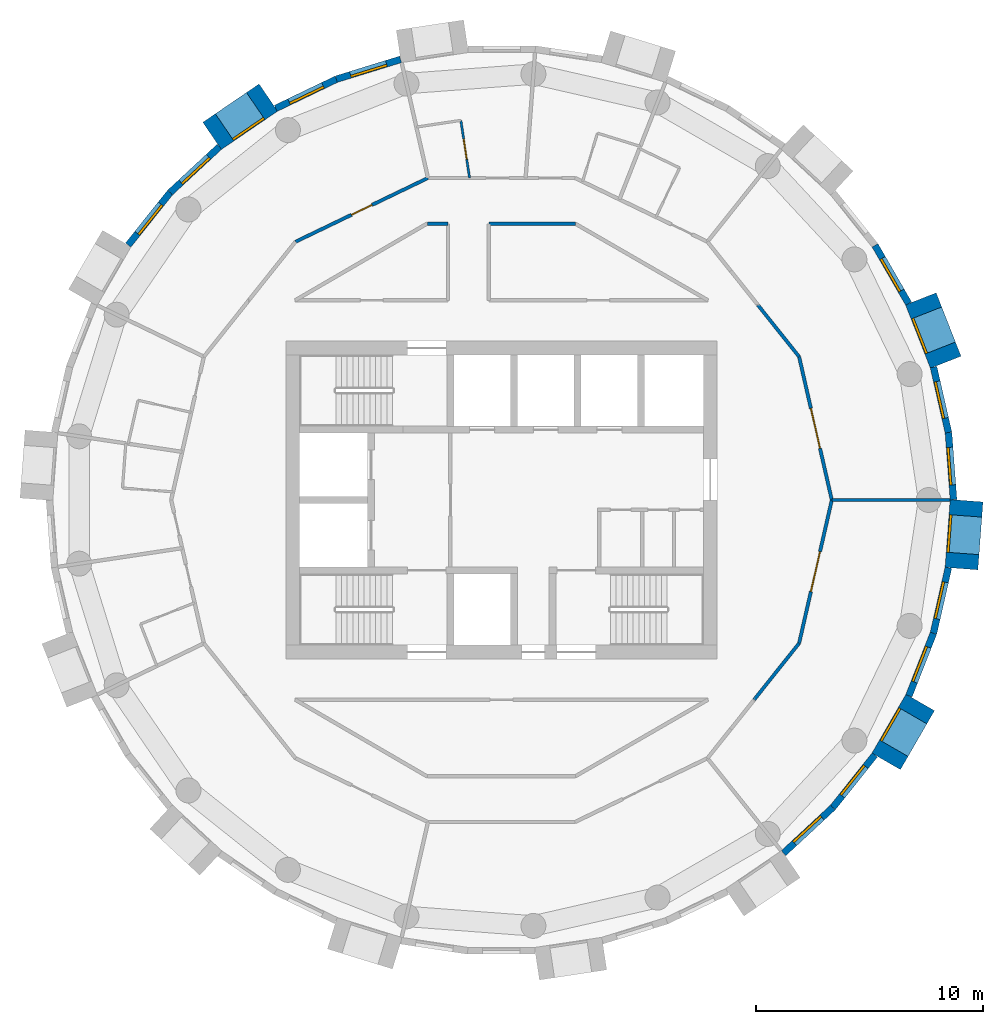
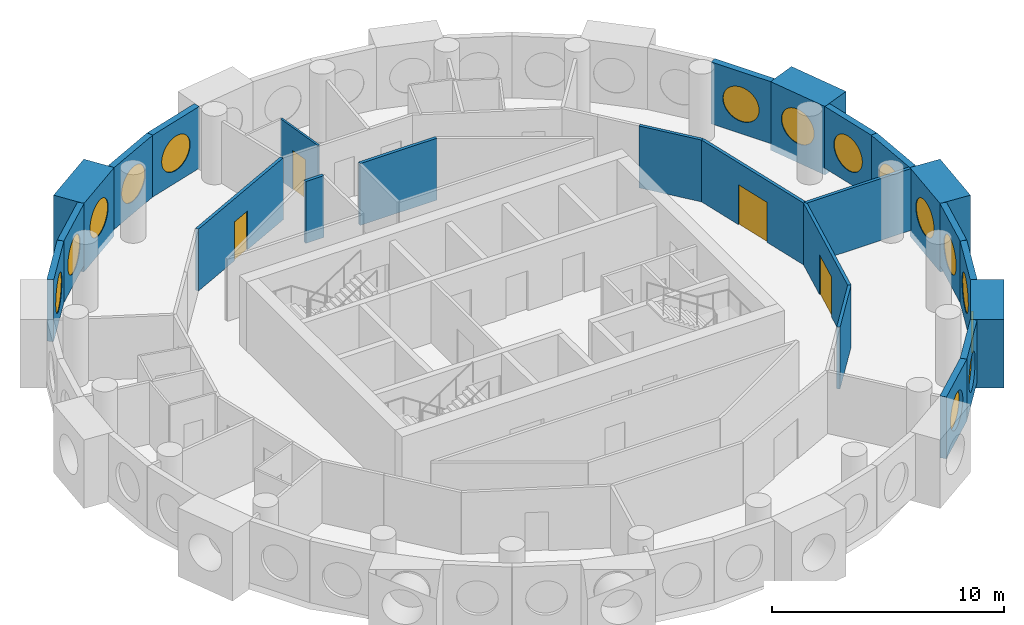
# One storey, part 9 of 12: 24 walls, 15 windows, 4 doors, 19 openings.
"""IFC4 building model written with IfcOpenShell, lengths in metres."""

from ifc_helpers import new_model, si_unit, direction, frame, frame_2d, origin, origin_2d, place, context, subcontext, project, spatial, rectangle, circle, extrude, material, layer, layer_set, type_object, element, fill, save


model = new_model("IFC4")

# Units and contexts
model_context = context("Model", 3, precision=1e-05, world=origin(), true_north=direction((0.0, 1.0)))
body_context = subcontext(model_context, "Body", "Model", "MODEL_VIEW")
ifc_project = project(units=[si_unit("LENGTHUNIT", "METRE"), si_unit("AREAUNIT", "SQUARE_METRE"), si_unit("VOLUMEUNIT", "CUBIC_METRE"), si_unit("PLANEANGLEUNIT", "RADIAN"), si_unit("MASSUNIT", "GRAM", prefix="KILO")], contexts=[model_context])

# Site, building, storey
site_placement = place(None, origin())
site = spatial("IfcSite", under=ifc_project, at=site_placement, CompositionType="ELEMENT")
building_placement = place(site_placement, origin())
building = spatial("IfcBuilding", under=site, at=building_placement, Name="Tracery Tower", CompositionType="ELEMENT")
storey_placement = place(building_placement, frame((0.0, 0.0, 245.39990234375)))
storey = spatial("IfcBuildingStorey", under=building, at=storey_placement, Name="L63", CompositionType="ELEMENT", Elevation=245.39990234375)

# Wall, opening, window
ifc_material_1 = material(Name="Precast concrete C50/60", Category="concrete")
ifc_layer_1 = layer(ifc_material_1, 1.449951171875)
ifc_layer_set_1 = layer_set([ifc_layer_1], Name="Deep-set bay unit 3000 x 3600, slab edge 350")
wall_type_1 = type_object("IfcWallType", Name="Deep-set bay unit 3000 x 3600, slab edge 350", PredefinedType="ELEMENTEDWALL", material=ifc_layer_set_1)
wall_1_placement = place(storey_placement, frame((19.576171875, 6.071533203125, -0.349853515625), z_axis=(0.0, 0.0, 1.0), x_axis=(-0.36537792632, 0.93085926485, 0.0)))
wall_1 = element("IfcWall", 1, at=wall_1_placement, inside=storey, type_object=wall_type_1, Name="Deep-set bay unit 3 at L63", PredefinedType="ELEMENTEDWALL", context=body_context, shape_type="SweptSolid", body=[
    extrude(rectangle(XDim=3.000244140625, YDim=1.449951171875, at=frame_2d((1.5, 0.0))), origin(), (0.0, 0.0, 1.0), 3.599853515625),
])
opening_1_placement = place(wall_1_placement, frame((1.5, 0.0, 1.89990234375)))
opening_1 = element("IfcOpeningElement", 2, at=opening_1_placement, cuts=wall_1, Name="Opening WN1", PredefinedType="OPENING", context=body_context, shape_type="SweptSolid", body=[
    extrude(circle(Radius=0.9000244140625, at=origin_2d()), frame((0.0, 0.73486328125, 0.0), z_axis=(0.0, -1.0, 0.0), x_axis=(1.0, 0.0, 0.0)), (0.0, 0.0, 1.0), 1.469970703125),
])
ifc_material_2 = material(Name="Aluminium frame with tinted double glazing", Category="aluminium")
window_type = type_object("IfcWindowType", Name="Round window 1800", PartitioningType="SINGLE_PANEL", PredefinedType="WINDOW", material=ifc_material_2)
window_1_placement = place(opening_1_placement, origin())
window_1 = element("IfcWindow", 3, at=window_1_placement, inside=storey, type_object=window_type, Name="Round window 3 at L63", OverallHeight=1.800048828125, OverallWidth=1.800048828125, PartitioningType="SINGLE_PANEL", PredefinedType="WINDOW", context=body_context, shape_type="SweptSolid", body=[
    extrude(circle(Radius=0.9000244140625, at=origin_2d()), frame((0.0, 0.69482421875, 0.0), z_axis=(0.0, -1.0, 0.0), x_axis=(1.0, 0.0, 0.0)), (0.0, 0.0, 1.0), 0.10009765625),
])
fill(opening_1, window_1)

wall_2_placement = place(storey_placement, frame((-10.275390625, 17.734130859375, -0.349853515625), z_axis=(0.0, 0.0, 1.0), x_axis=(-0.826246281157, -0.563309047392, 0.0)))
wall_2 = element("IfcWall", 4, at=wall_2_placement, inside=storey, type_object=wall_type_1, Name="Deep-set bay unit 15 at L63", PredefinedType="ELEMENTEDWALL", context=body_context, shape_type="SweptSolid", body=[
    extrude(rectangle(XDim=3.0, YDim=1.449951171875, at=frame_2d((1.5, 0.0))), origin(), (0.0, 0.0, 1.0), 3.599853515625),
])
opening_2_placement = place(wall_2_placement, frame((1.5, 0.0, 1.89990234375)))
opening_2 = element("IfcOpeningElement", 5, at=opening_2_placement, cuts=wall_2, Name="Opening WN1", PredefinedType="OPENING", context=body_context, shape_type="SweptSolid", body=[
    extrude(circle(Radius=0.9000244140625, at=origin_2d()), frame((0.0, 0.73486328125, 0.0), z_axis=(0.0, -1.0, 0.0), x_axis=(1.0, 0.0, 0.0)), (0.0, 0.0, 1.0), 1.469970703125),
])
window_2_placement = place(opening_2_placement, origin())
window_2 = element("IfcWindow", 6, at=window_2_placement, inside=storey, type_object=window_type, Name="Round window 15 at L63", OverallHeight=1.800048828125, OverallWidth=1.800048828125, PartitioningType="SINGLE_PANEL", PredefinedType="WINDOW", context=body_context, shape_type="SweptSolid", body=[
    extrude(circle(Radius=0.9000244140625, at=origin_2d()), frame((0.0, 0.69482421875, 0.0), z_axis=(0.0, -1.0, 0.0), x_axis=(1.0, 0.0, 0.0)), (0.0, 0.0, 1.0), 0.10009765625),
])
fill(opening_2, window_2)

wall_3_placement = place(storey_placement, frame((16.952392578125, -11.51953125, -0.349853515625), z_axis=(0.0, 0.0, 1.0), x_axis=(0.499990139034, 0.866031096941, 0.0)))
wall_3 = element("IfcWall", 7, at=wall_3_placement, inside=storey, type_object=wall_type_1, Name="Deep-set bay unit 39 at L63", PredefinedType="ELEMENTEDWALL", context=body_context, shape_type="SweptSolid", body=[
    extrude(rectangle(XDim=3.0, YDim=1.449951171875, at=frame_2d((1.5, 0.0))), origin(), (0.0, 0.0, 1.0), 3.599853515625),
])
opening_3_placement = place(wall_3_placement, frame((1.5, 0.0, 1.89990234375)))
opening_3 = element("IfcOpeningElement", 8, at=opening_3_placement, cuts=wall_3, Name="Opening WN1", PredefinedType="OPENING", context=body_context, shape_type="SweptSolid", body=[
    extrude(circle(Radius=0.9000244140625, at=origin_2d()), frame((0.0, 0.73486328125, 0.0), z_axis=(0.0, -1.0, 0.0), x_axis=(1.0, 0.0, 0.0)), (0.0, 0.0, 1.0), 1.469970703125),
])
window_3_placement = place(opening_3_placement, origin())
window_3 = element("IfcWindow", 9, at=window_3_placement, inside=storey, type_object=window_type, Name="Round window 39 at L63", OverallHeight=1.800048828125, OverallWidth=1.800048828125, PartitioningType="SINGLE_PANEL", PredefinedType="WINDOW", context=body_context, shape_type="SweptSolid", body=[
    extrude(circle(Radius=0.9000244140625, at=origin_2d()), frame((0.0, 0.69482421875, 0.0), z_axis=(0.0, -1.0, 0.0), x_axis=(1.0, 0.0, 0.0)), (0.0, 0.0, 1.0), 0.10009765625),
])
fill(opening_3, window_3)

wall_4_placement = place(storey_placement, frame((20.271728515625, -3.0234375, -0.349853515625), z_axis=(0.0, 0.0, 1.0), x_axis=(0.074785902127, 0.997199613339, 0.0)))
wall_4 = element("IfcWall", 10, at=wall_4_placement, inside=storey, type_object=wall_type_1, Name="Deep-set bay unit 42 at L63", PredefinedType="ELEMENTEDWALL", context=body_context, shape_type="SweptSolid", body=[
    extrude(rectangle(XDim=3.0, YDim=1.449951171875, at=frame_2d((1.5, 0.0))), origin(), (0.0, 0.0, 1.0), 3.599853515625),
])
opening_4_placement = place(wall_4_placement, frame((1.5, 0.0, 1.89990234375)))
opening_4 = element("IfcOpeningElement", 11, at=opening_4_placement, cuts=wall_4, Name="Opening WN1", PredefinedType="OPENING", context=body_context, shape_type="SweptSolid", body=[
    extrude(circle(Radius=0.9000244140625, at=origin_2d()), frame((0.0, 0.73486328125, 0.0), z_axis=(0.0, -1.0, 0.0), x_axis=(1.0, 0.0, 0.0)), (0.0, 0.0, 1.0), 1.469970703125),
])
window_4_placement = place(opening_4_placement, origin())
window_4 = element("IfcWindow", 12, at=window_4_placement, inside=storey, type_object=window_type, Name="Round window 42 at L63", OverallHeight=1.800048828125, OverallWidth=1.800048828125, PartitioningType="SINGLE_PANEL", PredefinedType="WINDOW", context=body_context, shape_type="SweptSolid", body=[
    extrude(circle(Radius=0.9000244140625, at=origin_2d()), frame((0.0, 0.69482421875, 0.0), z_axis=(0.0, -1.0, 0.0), x_axis=(1.0, 0.0, 0.0)), (0.0, 0.0, 1.0), 0.10009765625),
])
fill(opening_4, window_4)

ifc_material_3 = material(Name="Precast concrete C50/60", Category="concrete")
ifc_layer_2 = layer(ifc_material_3, 0.300048828125)
ifc_layer_set_2 = layer_set([ifc_layer_2], Name="Facade panel 3000 x 3250")
wall_type_2 = type_object("IfcWallType", Name="Facade panel 3000 x 3250", PredefinedType="SOLIDWALL", material=ifc_layer_set_2)
wall_5_placement = place(storey_placement, frame((19.920654296875, 0.01513671875, 0.0), z_axis=(0.0, 0.0, 1.0), x_axis=(-0.07474897196, 0.997202382263, 0.0)))
wall_5 = element("IfcWall", 13, at=wall_5_placement, inside=storey, type_object=wall_type_2, Name="Facade panel 1 at L63", PredefinedType="SOLIDWALL", context=body_context, shape_type="SweptSolid", body=[
    extrude(rectangle(XDim=2.96240234375, YDim=0.300048828125, at=frame_2d((1.481201171875, 0.0))), origin(), (0.0, 0.0, 1.0), 3.25),
])
opening_5_placement = place(wall_5_placement, frame((1.48095703125, 0.0, 1.5498046875)))
opening_5 = element("IfcOpeningElement", 14, at=opening_5_placement, cuts=wall_5, Name="Opening WN1", PredefinedType="OPENING", context=body_context, shape_type="SweptSolid", body=[
    extrude(circle(Radius=0.9000244140625, at=origin_2d()), frame((0.0, 0.159912109375, 0.0), z_axis=(0.0, -1.0, 0.0), x_axis=(1.0, 0.0, 0.0)), (0.0, 0.0, 1.0), 0.320068359375),
])
window_5_placement = place(opening_5_placement, origin())
window_5 = element("IfcWindow", 15, at=window_5_placement, inside=storey, type_object=window_type, Name="Round window 1 at L63", OverallHeight=1.800048828125, OverallWidth=1.800048828125, PartitioningType="SINGLE_PANEL", PredefinedType="WINDOW", context=body_context, shape_type="SweptSolid", body=[
    extrude(circle(Radius=0.9000244140625, at=origin_2d()), frame((0.0, 0.1201171875, 0.0), z_axis=(0.0, -1.0, 0.0), x_axis=(1.0, 0.0, 0.0)), (0.0, 0.0, 1.0), 0.10009765625),
])
fill(opening_5, window_5)

wall_6_placement = place(storey_placement, frame((19.69921875, 2.96923828125, 0.0), z_axis=(0.0, 0.0, 1.0), x_axis=(-0.222529389789, 0.974925982155, 0.0)))
wall_6 = element("IfcWall", 16, at=wall_6_placement, inside=storey, type_object=wall_type_2, Name="Facade panel 2 at L63", PredefinedType="SOLIDWALL", context=body_context, shape_type="SweptSolid", body=[
    extrude(rectangle(XDim=2.962158203125, YDim=0.300048828125, at=frame_2d((1.48095703125, 0.0))), origin(), (0.0, 0.0, 1.0), 3.25),
])
opening_6_placement = place(wall_6_placement, frame((1.48095703125, 0.0, 1.5498046875)))
opening_6 = element("IfcOpeningElement", 17, at=opening_6_placement, cuts=wall_6, Name="Opening WN1", PredefinedType="OPENING", context=body_context, shape_type="SweptSolid", body=[
    extrude(circle(Radius=0.9000244140625, at=origin_2d()), frame((0.0, 0.159912109375, 0.0), z_axis=(0.0, -1.0, 0.0), x_axis=(1.0, 0.0, 0.0)), (0.0, 0.0, 1.0), 0.320068359375),
])
window_6_placement = place(opening_6_placement, origin())
window_6 = element("IfcWindow", 18, at=window_6_placement, inside=storey, type_object=window_type, Name="Round window 2 at L63", OverallHeight=1.800048828125, OverallWidth=1.800048828125, PartitioningType="SINGLE_PANEL", PredefinedType="WINDOW", context=body_context, shape_type="SweptSolid", body=[
    extrude(circle(Radius=0.9000244140625, at=origin_2d()), frame((0.0, 0.1201171875, 0.0), z_axis=(0.0, -1.0, 0.0), x_axis=(1.0, 0.0, 0.0)), (0.0, 0.0, 1.0), 0.10009765625),
])
fill(opening_6, window_6)

wall_7_placement = place(storey_placement, frame((17.941162109375, 8.656982421875, 0.0), z_axis=(0.0, 0.0, 1.0), x_axis=(-0.499950756475, 0.86605383268, 0.0)))
wall_7 = element("IfcWall", 19, at=wall_7_placement, inside=storey, type_object=wall_type_2, Name="Facade panel 4 at L63", PredefinedType="SOLIDWALL", context=body_context, shape_type="SweptSolid", body=[
    extrude(rectangle(XDim=2.962158203125, YDim=0.300048828125, at=frame_2d((1.48095703125, 0.0))), origin(), (0.0, 0.0, 1.0), 3.25),
])
opening_7_placement = place(wall_7_placement, frame((1.48095703125, 0.0, 1.5498046875)))
opening_7 = element("IfcOpeningElement", 20, at=opening_7_placement, cuts=wall_7, Name="Opening WN1", PredefinedType="OPENING", context=body_context, shape_type="SweptSolid", body=[
    extrude(circle(Radius=0.9000244140625, at=origin_2d()), frame((0.0, 0.159912109375, 0.0), z_axis=(0.0, -1.0, 0.0), x_axis=(1.0, 0.0, 0.0)), (0.0, 0.0, 1.0), 0.320068359375),
])
window_7_placement = place(opening_7_placement, origin())
window_7 = element("IfcWindow", 21, at=window_7_placement, inside=storey, type_object=window_type, Name="Round window 4 at L63", OverallHeight=1.800048828125, OverallWidth=1.800048828125, PartitioningType="SINGLE_PANEL", PredefinedType="WINDOW", context=body_context, shape_type="SweptSolid", body=[
    extrude(circle(Radius=0.9000244140625, at=origin_2d()), frame((0.0, 0.1201171875, 0.0), z_axis=(0.0, -1.0, 0.0), x_axis=(1.0, 0.0, 0.0)), (0.0, 0.0, 1.0), 0.10009765625),
])
fill(opening_7, window_7)

wall_8_placement = place(storey_placement, frame((-4.447509765625, 19.417724609375, 0.0), z_axis=(0.0, 0.0, 1.0), x_axis=(-0.95558635705, -0.294711238707, 0.0)))
wall_8 = element("IfcWall", 22, at=wall_8_placement, inside=storey, type_object=wall_type_2, Name="Facade panel 13 at L63", PredefinedType="SOLIDWALL", context=body_context, shape_type="SweptSolid", body=[
    extrude(rectangle(XDim=2.96240234375, YDim=0.300048828125, at=frame_2d((1.481201171875, 0.0))), origin(), (0.0, 0.0, 1.0), 3.25),
])
opening_8_placement = place(wall_8_placement, frame((1.48095703125, 0.0, 1.5498046875)))
opening_8 = element("IfcOpeningElement", 23, at=opening_8_placement, cuts=wall_8, Name="Opening WN1", PredefinedType="OPENING", context=body_context, shape_type="SweptSolid", body=[
    extrude(circle(Radius=0.9000244140625, at=origin_2d()), frame((0.0, 0.159912109375, 0.0), z_axis=(0.0, -1.0, 0.0), x_axis=(1.0, 0.0, 0.0)), (0.0, 0.0, 1.0), 0.320068359375),
])
window_8_placement = place(opening_8_placement, origin())
window_8 = element("IfcWindow", 24, at=window_8_placement, inside=storey, type_object=window_type, Name="Round window 13 at L63", OverallHeight=1.800048828125, OverallWidth=1.800048828125, PartitioningType="SINGLE_PANEL", PredefinedType="WINDOW", context=body_context, shape_type="SweptSolid", body=[
    extrude(circle(Radius=0.9000244140625, at=origin_2d()), frame((0.0, 0.1201171875, 0.0), z_axis=(0.0, -1.0, 0.0), x_axis=(1.0, 0.0, 0.0)), (0.0, 0.0, 1.0), 0.10009765625),
])
fill(opening_8, window_8)

wall_9_placement = place(storey_placement, frame((-7.2783203125, 18.544677734375, 0.0), z_axis=(0.0, 0.0, 1.0), x_axis=(-0.900939615635, -0.433944476838, 0.0)))
wall_9 = element("IfcWall", 25, at=wall_9_placement, inside=storey, type_object=wall_type_2, Name="Facade panel 14 at L63", PredefinedType="SOLIDWALL", context=body_context, shape_type="SweptSolid", body=[
    extrude(rectangle(XDim=2.962158203125, YDim=0.300048828125, at=frame_2d((1.48095703125, 0.0))), origin(), (0.0, 0.0, 1.0), 3.25),
])
opening_9_placement = place(wall_9_placement, frame((1.48095703125, 0.0, 1.5498046875)))
opening_9 = element("IfcOpeningElement", 26, at=opening_9_placement, cuts=wall_9, Name="Opening WN1", PredefinedType="OPENING", context=body_context, shape_type="SweptSolid", body=[
    extrude(circle(Radius=0.9000244140625, at=origin_2d()), frame((0.0, 0.159912109375, 0.0), z_axis=(0.0, -1.0, 0.0), x_axis=(1.0, 0.0, 0.0)), (0.0, 0.0, 1.0), 0.320068359375),
])
window_9_placement = place(opening_9_placement, origin())
window_9 = element("IfcWindow", 27, at=window_9_placement, inside=storey, type_object=window_type, Name="Round window 14 at L63", OverallHeight=1.800048828125, OverallWidth=1.800048828125, PartitioningType="SINGLE_PANEL", PredefinedType="WINDOW", context=body_context, shape_type="SweptSolid", body=[
    extrude(circle(Radius=0.9000244140625, at=origin_2d()), frame((0.0, 0.1201171875, 0.0), z_axis=(0.0, -1.0, 0.0), x_axis=(1.0, 0.0, 0.0)), (0.0, 0.0, 1.0), 0.10009765625),
])
fill(opening_9, window_9)

wall_10_placement = place(storey_placement, frame((-12.43212890625, 15.565185546875, 0.0), z_axis=(0.0, 0.0, 1.0), x_axis=(-0.733066412643, -0.680157066165, 0.0)))
wall_10 = element("IfcWall", 28, at=wall_10_placement, inside=storey, type_object=wall_type_2, Name="Facade panel 16 at L63", PredefinedType="SOLIDWALL", context=body_context, shape_type="SweptSolid", body=[
    extrude(rectangle(XDim=2.96240234375, YDim=0.300048828125, at=frame_2d((1.481201171875, 0.0))), origin(), (0.0, 0.0, 1.0), 3.25),
])
opening_10_placement = place(wall_10_placement, frame((1.48095703125, 0.0, 1.5498046875)))
opening_10 = element("IfcOpeningElement", 29, at=opening_10_placement, cuts=wall_10, Name="Opening WN1", PredefinedType="OPENING", context=body_context, shape_type="SweptSolid", body=[
    extrude(circle(Radius=0.9000244140625, at=origin_2d()), frame((0.0, 0.159912109375, 0.0), z_axis=(0.0, -1.0, 0.0), x_axis=(1.0, 0.0, 0.0)), (0.0, 0.0, 1.0), 0.320068359375),
])
window_10_placement = place(opening_10_placement, origin())
window_10 = element("IfcWindow", 30, at=window_10_placement, inside=storey, type_object=window_type, Name="Round window 16 at L63", OverallHeight=1.800048828125, OverallWidth=1.800048828125, PartitioningType="SINGLE_PANEL", PredefinedType="WINDOW", context=body_context, shape_type="SweptSolid", body=[
    extrude(circle(Radius=0.9000244140625, at=origin_2d()), frame((0.0, 0.1201171875, 0.0), z_axis=(0.0, -1.0, 0.0), x_axis=(1.0, 0.0, 0.0)), (0.0, 0.0, 1.0), 0.10009765625),
])
fill(opening_10, window_10)

wall_11_placement = place(storey_placement, frame((-14.603759765625, 13.55029296875, 0.0), z_axis=(0.0, 0.0, 1.0), x_axis=(-0.623498236992, -0.781824755599, 0.0)))
wall_11 = element("IfcWall", 31, at=wall_11_placement, inside=storey, type_object=wall_type_2, Name="Facade panel 17 at L63", PredefinedType="SOLIDWALL", context=body_context, shape_type="SweptSolid", body=[
    extrude(rectangle(XDim=2.962158203125, YDim=0.300048828125, at=frame_2d((1.48095703125, 0.0))), origin(), (0.0, 0.0, 1.0), 3.25),
])
opening_11_placement = place(wall_11_placement, frame((1.48095703125, 0.0, 1.5498046875)))
opening_11 = element("IfcOpeningElement", 32, at=opening_11_placement, cuts=wall_11, Name="Opening WN1", PredefinedType="OPENING", context=body_context, shape_type="SweptSolid", body=[
    extrude(circle(Radius=0.9000244140625, at=origin_2d()), frame((0.0, 0.159912109375, 0.0), z_axis=(0.0, -1.0, 0.0), x_axis=(1.0, 0.0, 0.0)), (0.0, 0.0, 1.0), 0.320068359375),
])
window_11_placement = place(opening_11_placement, origin())
window_11 = element("IfcWindow", 33, at=window_11_placement, inside=storey, type_object=window_type, Name="Round window 17 at L63", OverallHeight=1.800048828125, OverallWidth=1.800048828125, PartitioningType="SINGLE_PANEL", PredefinedType="WINDOW", context=body_context, shape_type="SweptSolid", body=[
    extrude(circle(Radius=0.9000244140625, at=origin_2d()), frame((0.0, 0.1201171875, 0.0), z_axis=(0.0, -1.0, 0.0), x_axis=(1.0, 0.0, 0.0)), (0.0, 0.0, 1.0), 0.10009765625),
])
fill(opening_11, window_11)

wall_12_placement = place(storey_placement, frame((12.43212890625, -15.565185546875, 0.0), z_axis=(0.0, 0.0, 1.0), x_axis=(0.733066412643, 0.680157066165, 0.0)))
wall_12 = element("IfcWall", 34, at=wall_12_placement, inside=storey, type_object=wall_type_2, Name="Facade panel 37 at L63", PredefinedType="SOLIDWALL", context=body_context, shape_type="SweptSolid", body=[
    extrude(rectangle(XDim=2.96240234375, YDim=0.300048828125, at=frame_2d((1.481201171875, 0.0))), origin(), (0.0, 0.0, 1.0), 3.25),
])
opening_12_placement = place(wall_12_placement, frame((1.48095703125, 0.0, 1.5498046875)))
opening_12 = element("IfcOpeningElement", 35, at=opening_12_placement, cuts=wall_12, Name="Opening WN1", PredefinedType="OPENING", context=body_context, shape_type="SweptSolid", body=[
    extrude(circle(Radius=0.9000244140625, at=origin_2d()), frame((0.0, 0.159912109375, 0.0), z_axis=(0.0, -1.0, 0.0), x_axis=(1.0, 0.0, 0.0)), (0.0, 0.0, 1.0), 0.320068359375),
])
window_12_placement = place(opening_12_placement, origin())
window_12 = element("IfcWindow", 36, at=window_12_placement, inside=storey, type_object=window_type, Name="Round window 37 at L63", OverallHeight=1.800048828125, OverallWidth=1.800048828125, PartitioningType="SINGLE_PANEL", PredefinedType="WINDOW", context=body_context, shape_type="SweptSolid", body=[
    extrude(circle(Radius=0.9000244140625, at=origin_2d()), frame((0.0, 0.1201171875, 0.0), z_axis=(0.0, -1.0, 0.0), x_axis=(1.0, 0.0, 0.0)), (0.0, 0.0, 1.0), 0.10009765625),
])
fill(opening_12, window_12)

wall_13_placement = place(storey_placement, frame((14.603759765625, -13.55029296875, 0.0), z_axis=(0.0, 0.0, 1.0), x_axis=(0.623498236992, 0.781824755599, 0.0)))
wall_13 = element("IfcWall", 37, at=wall_13_placement, inside=storey, type_object=wall_type_2, Name="Facade panel 38 at L63", PredefinedType="SOLIDWALL", context=body_context, shape_type="SweptSolid", body=[
    extrude(rectangle(XDim=2.962158203125, YDim=0.300048828125, at=frame_2d((1.48095703125, 0.0))), origin(), (0.0, 0.0, 1.0), 3.25),
])
opening_13_placement = place(wall_13_placement, frame((1.48095703125, 0.0, 1.5498046875)))
opening_13 = element("IfcOpeningElement", 38, at=opening_13_placement, cuts=wall_13, Name="Opening WN1", PredefinedType="OPENING", context=body_context, shape_type="SweptSolid", body=[
    extrude(circle(Radius=0.9000244140625, at=origin_2d()), frame((0.0, 0.159912109375, 0.0), z_axis=(0.0, -1.0, 0.0), x_axis=(1.0, 0.0, 0.0)), (0.0, 0.0, 1.0), 0.320068359375),
])
window_13_placement = place(opening_13_placement, origin())
window_13 = element("IfcWindow", 39, at=window_13_placement, inside=storey, type_object=window_type, Name="Round window 38 at L63", OverallHeight=1.800048828125, OverallWidth=1.800048828125, PartitioningType="SINGLE_PANEL", PredefinedType="WINDOW", context=body_context, shape_type="SweptSolid", body=[
    extrude(circle(Radius=0.9000244140625, at=origin_2d()), frame((0.0, 0.1201171875, 0.0), z_axis=(0.0, -1.0, 0.0), x_axis=(1.0, 0.0, 0.0)), (0.0, 0.0, 1.0), 0.10009765625),
])
fill(opening_13, window_13)

wall_14_placement = place(storey_placement, frame((17.95458984375, -8.62939453125, 0.0), z_axis=(0.0, 0.0, 1.0), x_axis=(0.36530043032, 0.930889679612, 0.0)))
wall_14 = element("IfcWall", 40, at=wall_14_placement, inside=storey, type_object=wall_type_2, Name="Facade panel 40 at L63", PredefinedType="SOLIDWALL", context=body_context, shape_type="SweptSolid", body=[
    extrude(rectangle(XDim=2.9619140625, YDim=0.300048828125, at=frame_2d((1.48095703125, 0.0))), origin(), (0.0, 0.0, 1.0), 3.25),
])
opening_14_placement = place(wall_14_placement, frame((1.48095703125, 0.0, 1.5498046875)))
opening_14 = element("IfcOpeningElement", 41, at=opening_14_placement, cuts=wall_14, Name="Opening WN1", PredefinedType="OPENING", context=body_context, shape_type="SweptSolid", body=[
    extrude(circle(Radius=0.9000244140625, at=origin_2d()), frame((0.0, 0.159912109375, 0.0), z_axis=(0.0, -1.0, 0.0), x_axis=(1.0, 0.0, 0.0)), (0.0, 0.0, 1.0), 0.320068359375),
])
window_14_placement = place(opening_14_placement, origin())
window_14 = element("IfcWindow", 42, at=window_14_placement, inside=storey, type_object=window_type, Name="Round window 40 at L63", OverallHeight=1.800048828125, OverallWidth=1.800048828125, PartitioningType="SINGLE_PANEL", PredefinedType="WINDOW", context=body_context, shape_type="SweptSolid", body=[
    extrude(circle(Radius=0.9000244140625, at=origin_2d()), frame((0.0, 0.1201171875, 0.0), z_axis=(0.0, -1.0, 0.0), x_axis=(1.0, 0.0, 0.0)), (0.0, 0.0, 1.0), 0.10009765625),
])
fill(opening_14, window_14)

wall_15_placement = place(storey_placement, frame((19.03662109375, -5.8720703125, 0.0), z_axis=(0.0, 0.0, 1.0), x_axis=(0.222529389789, 0.974925982155, 0.0)))
wall_15 = element("IfcWall", 43, at=wall_15_placement, inside=storey, type_object=wall_type_2, Name="Facade panel 41 at L63", PredefinedType="SOLIDWALL", context=body_context, shape_type="SweptSolid", body=[
    extrude(rectangle(XDim=2.962158203125, YDim=0.300048828125, at=frame_2d((1.48095703125, 0.0))), origin(), (0.0, 0.0, 1.0), 3.25),
])
opening_15_placement = place(wall_15_placement, frame((1.48095703125, 0.0, 1.5498046875)))
opening_15 = element("IfcOpeningElement", 44, at=opening_15_placement, cuts=wall_15, Name="Opening WN1", PredefinedType="OPENING", context=body_context, shape_type="SweptSolid", body=[
    extrude(circle(Radius=0.9000244140625, at=origin_2d()), frame((0.0, 0.159912109375, 0.0), z_axis=(0.0, -1.0, 0.0), x_axis=(1.0, 0.0, 0.0)), (0.0, 0.0, 1.0), 0.320068359375),
])
window_15_placement = place(opening_15_placement, origin())
window_15 = element("IfcWindow", 45, at=window_15_placement, inside=storey, type_object=window_type, Name="Round window 41 at L63", OverallHeight=1.800048828125, OverallWidth=1.800048828125, PartitioningType="SINGLE_PANEL", PredefinedType="WINDOW", context=body_context, shape_type="SweptSolid", body=[
    extrude(circle(Radius=0.9000244140625, at=origin_2d()), frame((0.0, 0.1201171875, 0.0), z_axis=(0.0, -1.0, 0.0), x_axis=(1.0, 0.0, 0.0)), (0.0, 0.0, 1.0), 0.10009765625),
])
fill(opening_15, window_15)

# Wall, opening, door
ifc_material_4 = material(Name="Plasterboard on steel studs", Category="steel")
ifc_layer_3 = layer(ifc_material_4, 0.10009765625)
ifc_layer_set_3 = layer_set([ifc_layer_3], Name="Partition 100 wet wall")
wall_type_3 = type_object("IfcWallType", Name="Partition 100 wet wall", PredefinedType="PARTITIONING", material=ifc_layer_set_3)
wall_16_placement = place(storey_placement, frame((-1.791015625, 16.72900390625, 0.0), z_axis=(0.0, 0.0, 1.0), x_axis=(0.149289553133, -0.988793522089, 0.0)))
wall_16 = element("IfcWall", 46, at=wall_16_placement, inside=storey, type_object=wall_type_3, Name="Wet wall RC2-052", PredefinedType="PARTITIONING", context=body_context, shape_type="SweptSolid", body=[
    extrude(rectangle(XDim=2.56591796875, YDim=0.10009765625, at=frame_2d((1.282958984375, 0.0))), origin(), (0.0, 0.0, 1.0), 3.25),
])
opening_16_placement = place(wall_16_placement, frame((0.832763671875, 0.0, 0.0)))
opening_16 = element("IfcOpeningElement", 47, at=opening_16_placement, cuts=wall_16, Name="Opening RC2-09", PredefinedType="OPENING", context=body_context, shape_type="SweptSolid", body=[
    extrude(rectangle(XDim=0.89990234375, YDim=2.0400390625, at=frame_2d((0.449951171875, 1.02001953125))), frame((0.0, 0.050048828125, 0.0), z_axis=(0.0, -1.0, 0.0), x_axis=(1.0, 0.0, 0.0)), (0.0, 0.0, 1.0), 0.10009765625),
])
ifc_material_5 = material(Name="Timber door leaf", Category="wood")
door_type_1 = type_object("IfcDoorType", Name="Door en-suite 900", OperationType="NOTDEFINED", PredefinedType="DOOR", material=ifc_material_5)
door_1_placement = place(opening_16_placement, origin())
door_1 = element("IfcDoor", 48, at=door_1_placement, inside=storey, type_object=door_type_1, Name="En-suite door RC2-09", OperationType="SINGLE_SWING_RIGHT", OverallHeight=2.0400390625, OverallWidth=0.89990234375, PredefinedType="DOOR", context=body_context, shape_type="SweptSolid", body=[
    extrude(rectangle(XDim=0.89990234375, YDim=2.0400390625, at=frame_2d((0.449951171875, 1.02001953125))), frame((0.0, 0.02490234375, 0.0), z_axis=(0.0, -1.0, 0.0), x_axis=(1.0, 0.0, 0.0)), (0.0, 0.0, 1.0), 0.050048828125),
])
fill(opening_16, door_1)

# Walls
ifc_material_6 = material(Name="Plasterboard on steel studs", Category="steel")
ifc_layer_4 = layer(ifc_material_6, 0.14990234375)
ifc_layer_set_4 = layer_set([ifc_layer_4], Name="Partition 150 acoustic unit wall")
wall_type_4 = type_object("IfcWallType", Name="Partition 150 acoustic unit wall", PredefinedType="PARTITIONING", material=ifc_layer_set_4)
wall_17_placement = place(storey_placement, frame((14.556884765625, 0.0, 0.0), z_axis=(0.0, 0.0, 1.0), x_axis=(1.0, 0.0, 0.0)))
element("IfcWall", 49, at=wall_17_placement, inside=storey, type_object=wall_type_4, Name="Unit wall RC2-044", PredefinedType="PARTITIONING", context=body_context, shape_type="SweptSolid", body=[
    extrude(rectangle(XDim=5.214111328125, YDim=0.14990234375, at=frame_2d((2.60693359375, 0.0))), origin(), (0.0, 0.0, 1.0), 3.25),
])
ifc_material_7 = material(Name="Plasterboard on steel studs", Category="steel")
ifc_layer_5 = layer(ifc_material_7, 0.14990234375)
ifc_layer_set_5 = layer_set([ifc_layer_5], Name="Partition 150 corridor wall")
wall_type_5 = type_object("IfcWallType", Name="Partition 150 corridor wall", PredefinedType="PARTITIONING", material=ifc_layer_set_5)
wall_18_placement = place(storey_placement, frame((11.300048828125, 8.592041015625, 0.0), z_axis=(0.0, 0.0, 1.0), x_axis=(0.623446514299, -0.781866001185, 0.0)))
element("IfcWall", 50, at=wall_18_placement, inside=storey, type_object=wall_type_5, Name="Corridor wall RC2-020", PredefinedType="PARTITIONING", context=body_context, shape_type="SweptSolid", body=[
    extrude(rectangle(XDim=2.9111328125, YDim=0.14990234375, at=frame_2d((1.45556640625, 0.0))), origin(), (0.0, 0.0, 1.0), 3.25),
])

# Wall, opening, door
wall_19_placement = place(storey_placement, frame((13.114990234375, 6.31591796875, 0.0), z_axis=(0.0, 0.0, 1.0), x_axis=(0.222568978642, -0.97491694505, 0.0)))
wall_19 = element("IfcWall", 51, at=wall_19_placement, inside=storey, type_object=wall_type_5, Name="Corridor wall RC2-021", PredefinedType="PARTITIONING", context=body_context, shape_type="SweptSolid", body=[
    extrude(rectangle(XDim=6.478515625, YDim=0.14990234375, at=frame_2d((3.2392578125, 0.0))), origin(), (0.0, 0.0, 1.0), 3.25),
])
opening_17_placement = place(wall_19_placement, frame((2.339111328125, 0.0, 0.0)))
opening_17 = element("IfcOpeningElement", 52, at=opening_17_placement, cuts=wall_19, Name="Opening RC2-04", PredefinedType="OPENING", context=body_context, shape_type="SweptSolid", body=[
    extrude(rectangle(XDim=1.800048828125, YDim=2.10009765625, at=frame_2d((0.89990234375, 1.050048828125))), frame((0.0, 0.074951171875, 0.0), z_axis=(0.0, -1.0, 0.0), x_axis=(1.0, 0.0, 0.0)), (0.0, 0.0, 1.0), 0.14990234375),
])
ifc_material_8 = material(Name="Timber door leaf", Category="wood")
door_type_2 = type_object("IfcDoorType", Name="Door double lounge 1800", OperationType="NOTDEFINED", PredefinedType="DOOR", material=ifc_material_8)
door_2_placement = place(opening_17_placement, origin())
door_2 = element("IfcDoor", 53, at=door_2_placement, inside=storey, type_object=door_type_2, Name="Double lounge door RC2-04", OperationType="DOUBLE_DOOR_SINGLE_SWING", OverallHeight=2.10009765625, OverallWidth=1.800048828125, PredefinedType="DOOR", context=body_context, shape_type="SweptSolid", body=[
    extrude(rectangle(XDim=1.800048828125, YDim=2.10009765625, at=frame_2d((0.89990234375, 1.050048828125))), frame((0.0, 0.02490234375, 0.0), z_axis=(0.0, -1.0, 0.0), x_axis=(1.0, 0.0, 0.0)), (0.0, 0.0, 1.0), 0.050048828125),
])
fill(opening_17, door_2)

wall_20_placement = place(storey_placement, frame((13.114990234375, -6.31591796875, 0.0), z_axis=(0.0, 0.0, 1.0), x_axis=(0.222568978642, 0.97491694505, 0.0)))
wall_20 = element("IfcWall", 54, at=wall_20_placement, inside=storey, type_object=wall_type_5, Name="Corridor wall RC2-022", PredefinedType="PARTITIONING", context=body_context, shape_type="SweptSolid", body=[
    extrude(rectangle(XDim=6.478515625, YDim=0.14990234375, at=frame_2d((3.2392578125, 0.0))), origin(), (0.0, 0.0, 1.0), 3.25),
])
opening_18_placement = place(wall_20_placement, frame((2.339599609375, 0.0, 0.0)))
opening_18 = element("IfcOpeningElement", 55, at=opening_18_placement, cuts=wall_20, Name="Opening RC2-20", PredefinedType="OPENING", context=body_context, shape_type="SweptSolid", body=[
    extrude(rectangle(XDim=1.800048828125, YDim=2.10009765625, at=frame_2d((0.89990234375, 1.050048828125))), frame((0.0, 0.074951171875, 0.0), z_axis=(0.0, -1.0, 0.0), x_axis=(1.0, 0.0, 0.0)), (0.0, 0.0, 1.0), 0.14990234375),
])
door_3_placement = place(opening_18_placement, origin())
door_3 = element("IfcDoor", 56, at=door_3_placement, inside=storey, type_object=door_type_2, Name="Double lounge door RC2-20", OperationType="DOUBLE_DOOR_SINGLE_SWING", OverallHeight=2.10009765625, OverallWidth=1.800048828125, PredefinedType="DOOR", context=body_context, shape_type="SweptSolid", body=[
    extrude(rectangle(XDim=1.800048828125, YDim=2.10009765625, at=frame_2d((0.89990234375, 1.050048828125))), frame((0.0, 0.02490234375, 0.0), z_axis=(0.0, -1.0, 0.0), x_axis=(1.0, 0.0, 0.0)), (0.0, 0.0, 1.0), 0.050048828125),
])
fill(opening_18, door_3)

# Walls
wall_21_placement = place(storey_placement, frame((11.134033203125, -8.800048828125, 0.0), z_axis=(0.0, 0.0, 1.0), x_axis=(0.623476099415, 0.781842409606, 0.0)))
element("IfcWall", 57, at=wall_21_placement, inside=storey, type_object=wall_type_5, Name="Corridor wall RC2-023", PredefinedType="PARTITIONING", context=body_context, shape_type="SweptSolid", body=[
    extrude(rectangle(XDim=3.17724609375, YDim=0.14990234375, at=frame_2d((1.588623046875, 0.0))), origin(), (0.0, 0.0, 1.0), 3.25),
])
wall_22_placement = place(storey_placement, frame((-3.260986328125, 12.1708984375, 0.0), z_axis=(0.0, 0.0, 1.0), x_axis=(1.0, 0.0, 0.0)))
element("IfcWall", 58, at=wall_22_placement, inside=storey, type_object=wall_type_5, Name="Corridor wall RC2-025", PredefinedType="PARTITIONING", context=body_context, shape_type="SweptSolid", body=[
    extrude(rectangle(XDim=0.905029296875, YDim=0.14990234375, at=frame_2d((0.45263671875, 0.0))), origin(), (0.0, 0.0, 1.0), 3.25),
])
wall_23_placement = place(storey_placement, frame((-0.555908203125, 12.1708984375, 0.0), z_axis=(0.0, 0.0, 1.0), x_axis=(1.0, 0.0, 0.0)))
element("IfcWall", 59, at=wall_23_placement, inside=storey, type_object=wall_type_5, Name="Corridor wall RC2-027", PredefinedType="PARTITIONING", context=body_context, shape_type="SweptSolid", body=[
    extrude(rectangle(XDim=3.81689453125, YDim=0.14990234375, at=frame_2d((1.908447265625, 0.0))), origin(), (0.0, 0.0, 1.0), 3.25),
])

# Wall, opening, door
wall_24_placement = place(storey_placement, frame((-9.075927734375, 11.381103515625, 0.0), z_axis=(0.0, 0.0, 1.0), x_axis=(0.900976027191, 0.433868872388, 0.0)))
wall_24 = element("IfcWall", 60, at=wall_24_placement, inside=storey, type_object=wall_type_5, Name="Corridor wall RC2-032", PredefinedType="PARTITIONING", context=body_context, shape_type="SweptSolid", body=[
    extrude(rectangle(XDim=6.478515625, YDim=0.14990234375, at=frame_2d((3.2392578125, 0.0))), origin(), (0.0, 0.0, 1.0), 3.25),
])
opening_19_placement = place(wall_24_placement, frame((2.739013671875, 0.0, 0.0)))
opening_19 = element("IfcOpeningElement", 61, at=opening_19_placement, cuts=wall_24, Name="Opening RC2-11", PredefinedType="OPENING", context=body_context, shape_type="SweptSolid", body=[
    extrude(rectangle(XDim=1.0, YDim=2.0400390625, at=frame_2d((0.5, 1.02001953125))), frame((0.0, 0.074951171875, 0.0), z_axis=(0.0, -1.0, 0.0), x_axis=(1.0, 0.0, 0.0)), (0.0, 0.0, 1.0), 0.14990234375),
])
ifc_material_9 = material(Name="Timber door leaf", Category="wood")
door_type_3 = type_object("IfcDoorType", Name="Door communal room 1000", OperationType="NOTDEFINED", PredefinedType="DOOR", material=ifc_material_9)
door_4_placement = place(opening_19_placement, origin())
door_4 = element("IfcDoor", 62, at=door_4_placement, inside=storey, type_object=door_type_3, Name="Communal room door RC2-11", OperationType="SINGLE_SWING_LEFT", OverallHeight=2.0400390625, OverallWidth=1.0, PredefinedType="DOOR", context=body_context, shape_type="SweptSolid", body=[
    extrude(rectangle(XDim=1.0, YDim=2.0400390625, at=frame_2d((0.5, 1.02001953125))), frame((0.0, 0.02490234375, 0.0), z_axis=(0.0, -1.0, 0.0), x_axis=(1.0, 0.0, 0.0)), (0.0, 0.0, 1.0), 0.050048828125),
])
fill(opening_19, door_4)

save(model, "model.ifc")
